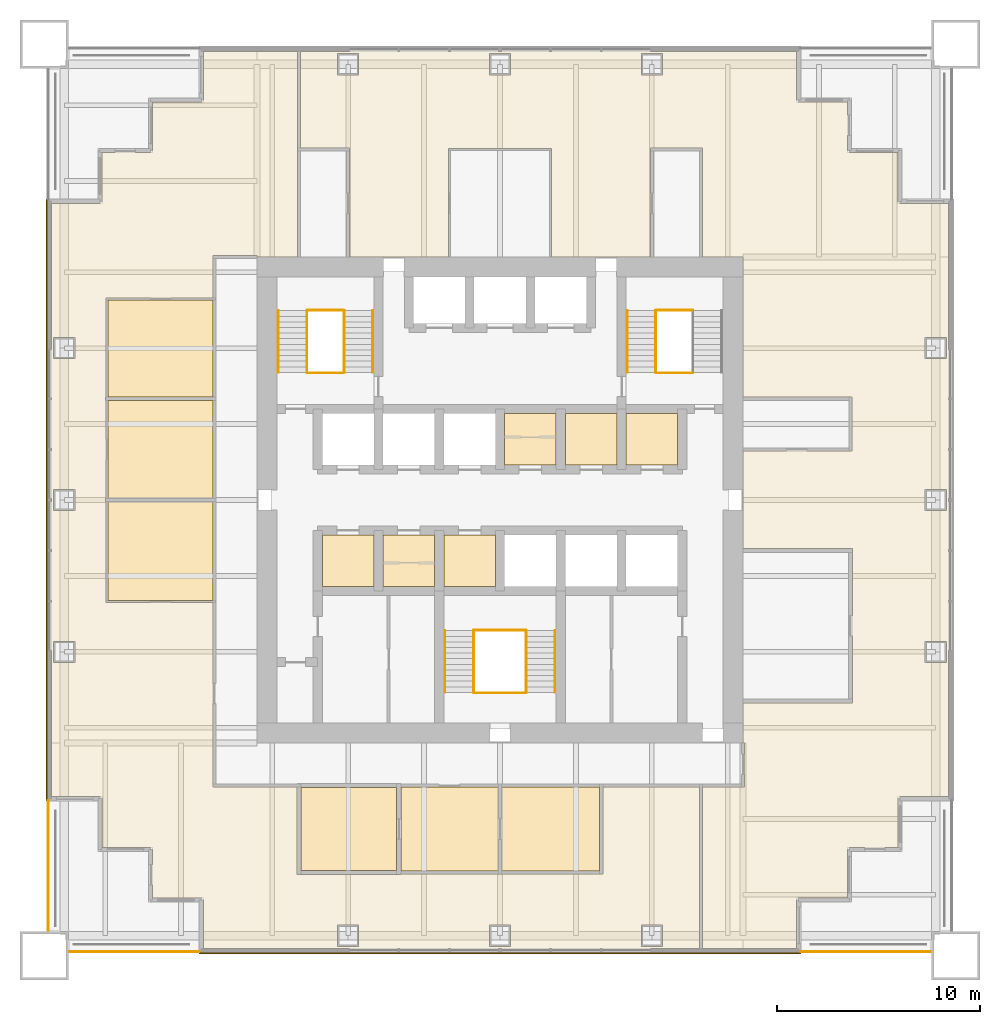
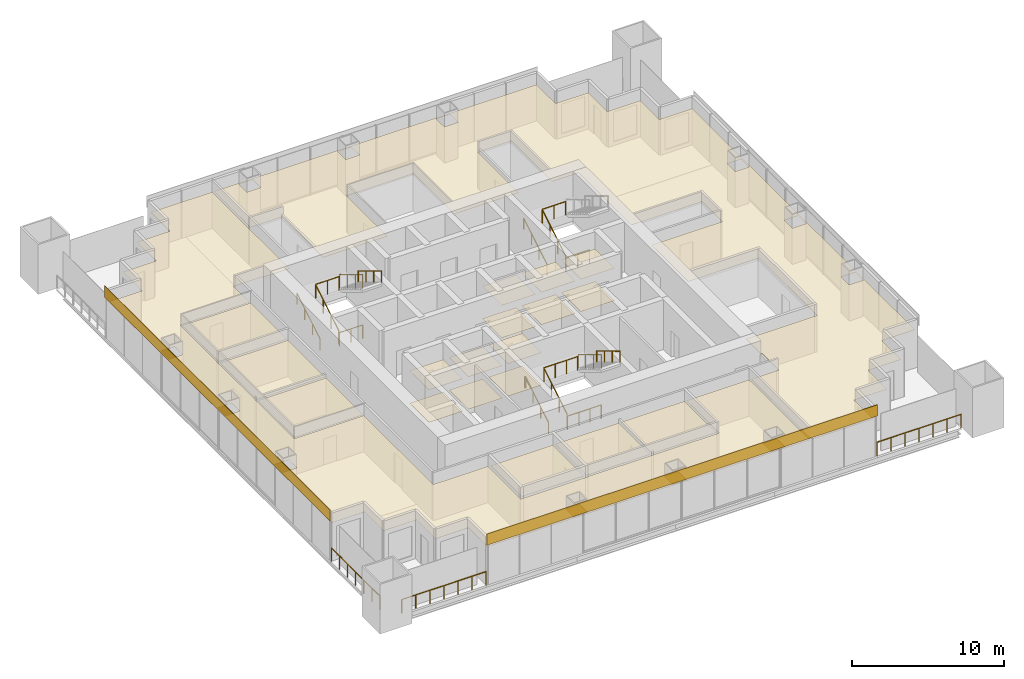
# One storey, part 12 of 13: 22 coverings, 19 railings.
"""IFC4 building model written with IfcOpenShell, lengths in metres."""

from ifc_helpers import new_model, si_unit, direction, frame, origin, origin_2d, place, context, subcontext, project, spatial, polyline, rectangle, circle, outline, extrude, material, layer, layer_set, type_object, element, save


model = new_model("IFC4")

# Units and contexts
model_context = context("Model", 3, precision=1e-05, world=origin(), true_north=direction((0.0, 1.0)))
body_context = subcontext(model_context, "Body", "Model", "MODEL_VIEW")
ifc_project = project(units=[si_unit("LENGTHUNIT", "METRE"), si_unit("AREAUNIT", "SQUARE_METRE"), si_unit("VOLUMEUNIT", "CUBIC_METRE"), si_unit("PLANEANGLEUNIT", "RADIAN"), si_unit("MASSUNIT", "GRAM", prefix="KILO")], contexts=[model_context])

# Site, building, storey
site_placement = place(None, origin())
site = spatial("IfcSite", under=ifc_project, at=site_placement, CompositionType="ELEMENT")
building_placement = place(site_placement, origin())
building = spatial("IfcBuilding", under=site, at=building_placement, Name="Tarangal Relay Tower", CompositionType="ELEMENT")
storey_placement = place(building_placement, frame((0.0, 0.0, 241.89990234375)))
storey = spatial("IfcBuildingStorey", under=building, at=storey_placement, Name="L52", CompositionType="ELEMENT", Elevation=241.89990234375)

# Coverings
ifc_material_1 = material(Name="Anti-static vinyl flooring", Category="plastic")
ifc_layer_1 = layer(ifc_material_1, 0.010009765625)
ifc_layer_set_1 = layer_set([ifc_layer_1], Name="Anti-static vinyl floor")
covering_type_1 = type_object("IfcCoveringType", Name="Anti-static vinyl floor", PredefinedType="FLOORING", material=ifc_layer_set_1)
covering_1_placement = place(storey_placement, origin())
element("IfcCovering", 1, at=covering_1_placement, inside=storey, type_object=covering_type_1, Name="Floor finish FL1 L52-T1", PredefinedType="FLOORING", context=body_context, shape_type="SweptSolid", body=[
    extrude(outline(polyline([(0.22509765625, 1.72509765625), (2.77490234375, 1.72509765625), (2.77490234375, 4.27490234375), (0.22509765625, 4.27490234375), (0.22509765625, 1.72509765625)])), origin(), (0.0, 0.0, 1.0), 0.010009765625),
])
covering_2_placement = place(storey_placement, origin())
element("IfcCovering", 2, at=covering_2_placement, inside=storey, type_object=covering_type_1, Name="Floor finish FL1 L52-T2", PredefinedType="FLOORING", context=body_context, shape_type="SweptSolid", body=[
    extrude(outline(polyline([(3.22509765625, 1.72509765625), (5.77490234375, 1.72509765625), (5.77490234375, 4.27490234375), (3.22509765625, 4.27490234375), (3.22509765625, 1.72509765625)])), origin(), (0.0, 0.0, 1.0), 0.010009765625),
])
covering_3_placement = place(storey_placement, origin())
element("IfcCovering", 3, at=covering_3_placement, inside=storey, type_object=covering_type_1, Name="Floor finish FL1 L52-T3", PredefinedType="FLOORING", context=body_context, shape_type="SweptSolid", body=[
    extrude(outline(polyline([(6.22509765625, 1.72509765625), (8.77490234375, 1.72509765625), (8.77490234375, 4.27490234375), (6.22509765625, 4.27490234375), (6.22509765625, 1.72509765625)])), origin(), (0.0, 0.0, 1.0), 0.010009765625),
])
covering_4_placement = place(storey_placement, origin())
element("IfcCovering", 4, at=covering_4_placement, inside=storey, type_object=covering_type_1, Name="Floor finish FL1 L52-S1", PredefinedType="FLOORING", context=body_context, shape_type="SweptSolid", body=[
    extrude(outline(polyline([(-8.77490234375, -4.27490234375), (-6.22509765625, -4.27490234375), (-6.22509765625, -1.72509765625), (-8.77490234375, -1.72509765625), (-8.77490234375, -4.27490234375)])), origin(), (0.0, 0.0, 1.0), 0.010009765625),
])
covering_5_placement = place(storey_placement, origin())
element("IfcCovering", 5, at=covering_5_placement, inside=storey, type_object=covering_type_1, Name="Floor finish FL1 L52-S2", PredefinedType="FLOORING", context=body_context, shape_type="SweptSolid", body=[
    extrude(outline(polyline([(-5.77490234375, -4.27490234375), (-3.22509765625, -4.27490234375), (-3.22509765625, -1.72509765625), (-5.77490234375, -1.72509765625), (-5.77490234375, -4.27490234375)])), origin(), (0.0, 0.0, 1.0), 0.010009765625),
])
covering_6_placement = place(storey_placement, origin())
element("IfcCovering", 6, at=covering_6_placement, inside=storey, type_object=covering_type_1, Name="Floor finish FL1 L52-S3", PredefinedType="FLOORING", context=body_context, shape_type="SweptSolid", body=[
    extrude(outline(polyline([(-2.77490234375, -4.27490234375), (-0.22509765625, -4.27490234375), (-0.22509765625, -1.72509765625), (-2.77490234375, -1.72509765625), (-2.77490234375, -4.27490234375)])), origin(), (0.0, 0.0, 1.0), 0.010009765625),
])
ifc_material_2 = material(Name="Black anodised aluminium cladding", Category="aluminium")
ifc_layer_2 = layer(ifc_material_2, 0.050048828125)
ifc_layer_set_2 = layer_set([ifc_layer_2], Name="Black metal spandrel band")
covering_type_2 = type_object("IfcCoveringType", Name="Black metal spandrel band", PredefinedType="CLADDING", material=ifc_layer_set_2)
for number, where, z_axis, x_axis, name in (
    (7, (0.0, -22.375, 3.250244140625), (0.0, 0.0, 1.0), (-1.0, 0.0, 0.0), "Spandrel band SB1 S L52"),
    (8, (-22.375, 0.0, 3.250244140625), (0.0, 0.0, 1.0), (0.0, 1.0, 0.0), "Spandrel band SB1 W L52"),
):
    element("IfcCovering", number, at=place(storey_placement, frame(where, z_axis=z_axis, x_axis=x_axis)), inside=storey, type_object=covering_type_2, Name=name, PredefinedType="CLADDING", context=body_context, shape_type="SweptSolid", body=[
        extrude(rectangle(XDim=29.699951171875, YDim=0.050048828125, at=origin_2d()), origin(), (0.0, 0.0, 1.0), 0.89990234375),
    ])

# Railings
ifc_material_3 = material(Name="Steel guard, black finish", Category="steel")
railing_type_1 = type_object("IfcRailingType", Name="Stair guard 1100", PredefinedType="GUARDRAIL", material=ifc_material_3)
railing_1_placement = place(storey_placement, frame((-9.530029296875, 6.300048828125, 0.166748046875)))
element("IfcRailing", 9, at=railing_1_placement, inside=storey, type_object=railing_type_1, Name="Stair ST-A guard GR1 L52 flight 1", PredefinedType="GUARDRAIL", context=body_context, shape_type="SweptSolid", body=[
    extrude(circle(Radius=0.02392578125, at=origin_2d()), frame((0.0, 0.0, 1.076171875), z_axis=(0.0, 0.85685617095, 0.515555527858), x_axis=(-1.0, 0.0, 0.0)), (0.0, 0.0, 1.0), 3.555908203125),
    extrude(circle(Radius=0.02099609375, at=origin_2d()), origin(), (0.0, 0.0, 1.0), 1.052001953125),
    extrude(circle(Radius=0.02099609375, at=origin_2d()), frame((0.0, 1.015625, 0.611083984375)), (0.0, 0.0, 1.0), 1.052001953125),
    extrude(circle(Radius=0.02099609375, at=origin_2d()), frame((0.0, 2.03125, 1.22216796875)), (0.0, 0.0, 1.0), 1.052001953125),
    extrude(circle(Radius=0.02099609375, at=origin_2d()), frame((0.0, 3.046875, 1.833251953125)), (0.0, 0.0, 1.0), 1.052001953125),
])
railing_2_placement = place(storey_placement, frame((-7.695068359375, 9.346923828125, 2.166748046875)))
element("IfcRailing", 10, at=railing_2_placement, inside=storey, type_object=railing_type_1, Name="Stair ST-A guard GR1 L52 flight 2", PredefinedType="GUARDRAIL", context=body_context, shape_type="SweptSolid", body=[
    extrude(circle(Radius=0.02392578125, at=origin_2d()), frame((0.0, 0.0, 1.076171875), z_axis=(0.0, -0.85685617095, 0.515555527858), x_axis=(1.0, 0.0, 0.0)), (0.0, 0.0, 1.0), 3.555908203125),
    extrude(circle(Radius=0.02099609375, at=origin_2d()), origin(), (0.0, 0.0, 1.0), 1.052001953125),
    extrude(circle(Radius=0.02099609375, at=origin_2d()), frame((0.0, -1.015625, 0.611083984375)), (0.0, 0.0, 1.0), 1.052001953125),
    extrude(circle(Radius=0.02099609375, at=origin_2d()), frame((0.0, -2.03125, 1.22216796875)), (0.0, 0.0, 1.0), 1.052001953125),
    extrude(circle(Radius=0.02099609375, at=origin_2d()), frame((0.0, -3.046875, 1.833251953125)), (0.0, 0.0, 1.0), 1.052001953125),
])
for number, where, name in (
    (11, (-9.5, 6.27001953125, 0.0), "Stair ST-A landing guard GR1 L52"),
    (12, (-9.5, 9.376953125, 2.0), "Stair ST-A landing guard GR1 L52"),
):
    element("IfcRailing", number, at=place(storey_placement, frame(where)), inside=storey, type_object=railing_type_1, Name=name, PredefinedType="GUARDRAIL", context=body_context, shape_type="SweptSolid", body=[
        extrude(circle(Radius=0.02392578125, at=origin_2d()), frame((0.0, 0.0, 1.076171875), z_axis=(1.0, 0.0, 0.0), x_axis=(0.0, 1.0, 0.0)), (0.0, 0.0, 1.0), 1.77490234375),
        extrude(circle(Radius=0.02099609375, at=origin_2d()), origin(), (0.0, 0.0, 1.0), 1.052001953125),
        extrude(circle(Radius=0.02099609375, at=origin_2d()), frame((0.887451171875, 0.0, 0.0)), (0.0, 0.0, 1.0), 1.052001953125),
        extrude(circle(Radius=0.02099609375, at=origin_2d()), frame((1.77490234375, 0.0, 0.0)), (0.0, 0.0, 1.0), 1.052001953125),
    ])
railing_3_placement = place(storey_placement, frame((7.695068359375, 6.300048828125, 0.166748046875)))
element("IfcRailing", 13, at=railing_3_placement, inside=storey, type_object=railing_type_1, Name="Stair ST-B guard GR1 L52 flight 1", PredefinedType="GUARDRAIL", context=body_context, shape_type="SweptSolid", body=[
    extrude(circle(Radius=0.02392578125, at=origin_2d()), frame((0.0, 0.0, 1.076171875), z_axis=(0.0, 0.85685617095, 0.515555527858), x_axis=(-1.0, 0.0, 0.0)), (0.0, 0.0, 1.0), 3.555908203125),
    extrude(circle(Radius=0.02099609375, at=origin_2d()), origin(), (0.0, 0.0, 1.0), 1.052001953125),
    extrude(circle(Radius=0.02099609375, at=origin_2d()), frame((0.0, 1.015625, 0.611083984375)), (0.0, 0.0, 1.0), 1.052001953125),
    extrude(circle(Radius=0.02099609375, at=origin_2d()), frame((0.0, 2.03125, 1.22216796875)), (0.0, 0.0, 1.0), 1.052001953125),
    extrude(circle(Radius=0.02099609375, at=origin_2d()), frame((0.0, 3.046875, 1.833251953125)), (0.0, 0.0, 1.0), 1.052001953125),
])
for number, where, name in (
    (14, (7.72509765625, 6.27001953125, 0.0), "Stair ST-B landing guard GR1 L52"),
    (15, (7.72509765625, 9.376953125, 2.0), "Stair ST-B landing guard GR1 L52"),
):
    element("IfcRailing", number, at=place(storey_placement, frame(where)), inside=storey, type_object=railing_type_1, Name=name, PredefinedType="GUARDRAIL", context=body_context, shape_type="SweptSolid", body=[
        extrude(circle(Radius=0.02392578125, at=origin_2d()), frame((0.0, 0.0, 1.076171875), z_axis=(1.0, 0.0, 0.0), x_axis=(0.0, 1.0, 0.0)), (0.0, 0.0, 1.0), 1.77490234375),
        extrude(circle(Radius=0.02099609375, at=origin_2d()), origin(), (0.0, 0.0, 1.0), 1.052001953125),
        extrude(circle(Radius=0.02099609375, at=origin_2d()), frame((0.887451171875, 0.0, 0.0)), (0.0, 0.0, 1.0), 1.052001953125),
        extrude(circle(Radius=0.02099609375, at=origin_2d()), frame((1.77490234375, 0.0, 0.0)), (0.0, 0.0, 1.0), 1.052001953125),
    ])
railing_4_placement = place(storey_placement, frame((-1.304931640625, -9.5, 0.166748046875)))
element("IfcRailing", 16, at=railing_4_placement, inside=storey, type_object=railing_type_1, Name="Stair ST-C guard GR1 L52 flight 1", PredefinedType="GUARDRAIL", context=body_context, shape_type="SweptSolid", body=[
    extrude(circle(Radius=0.02392578125, at=origin_2d()), frame((0.0, 0.0, 1.076171875), z_axis=(0.0, 0.856874418557, 0.515525199018), x_axis=(-1.0, 0.0, 0.0)), (0.0, 0.0, 1.0), 3.55615234375),
    extrude(circle(Radius=0.02099609375, at=origin_2d()), origin(), (0.0, 0.0, 1.0), 1.052001953125),
    extrude(circle(Radius=0.02099609375, at=origin_2d()), frame((0.0, 1.015625, 0.611083984375)), (0.0, 0.0, 1.0), 1.052001953125),
    extrude(circle(Radius=0.02099609375, at=origin_2d()), frame((0.0, 2.031494140625, 1.22216796875)), (0.0, 0.0, 1.0), 1.052001953125),
    extrude(circle(Radius=0.02099609375, at=origin_2d()), frame((0.0, 3.047119140625, 1.833251953125)), (0.0, 0.0, 1.0), 1.052001953125),
])
railing_5_placement = place(storey_placement, frame((1.304931640625, -6.452880859375, 2.166748046875)))
element("IfcRailing", 17, at=railing_5_placement, inside=storey, type_object=railing_type_1, Name="Stair ST-C guard GR1 L52 flight 2", PredefinedType="GUARDRAIL", context=body_context, shape_type="SweptSolid", body=[
    extrude(circle(Radius=0.02392578125, at=origin_2d()), frame((0.0, 0.0, 1.076171875), z_axis=(0.0, -0.856874418557, 0.515525199018), x_axis=(1.0, 0.0, 0.0)), (0.0, 0.0, 1.0), 3.55615234375),
    extrude(circle(Radius=0.02099609375, at=origin_2d()), origin(), (0.0, 0.0, 1.0), 1.052001953125),
    extrude(circle(Radius=0.02099609375, at=origin_2d()), frame((0.0, -1.015625, 0.611083984375)), (0.0, 0.0, 1.0), 1.052001953125),
    extrude(circle(Radius=0.02099609375, at=origin_2d()), frame((0.0, -2.031494140625, 1.22216796875)), (0.0, 0.0, 1.0), 1.052001953125),
    extrude(circle(Radius=0.02099609375, at=origin_2d()), frame((0.0, -3.047119140625, 1.833251953125)), (0.0, 0.0, 1.0), 1.052001953125),
])
for number, where, name in (
    (18, (-1.27490234375, -9.530029296875, 0.0), "Stair ST-C landing guard GR1 L52"),
    (19, (-1.27490234375, -6.423095703125, 2.0), "Stair ST-C landing guard GR1 L52"),
):
    element("IfcRailing", number, at=place(storey_placement, frame(where)), inside=storey, type_object=railing_type_1, Name=name, PredefinedType="GUARDRAIL", context=body_context, shape_type="SweptSolid", body=[
        extrude(circle(Radius=0.02392578125, at=origin_2d()), frame((0.0, 0.0, 1.076171875), z_axis=(1.0, 0.0, 0.0), x_axis=(0.0, 1.0, 0.0)), (0.0, 0.0, 1.0), 2.5498046875),
        extrude(circle(Radius=0.02099609375, at=origin_2d()), origin(), (0.0, 0.0, 1.0), 1.052001953125),
        extrude(circle(Radius=0.02099609375, at=origin_2d()), frame((0.849853515625, 0.0, 0.0)), (0.0, 0.0, 1.0), 1.052001953125),
        extrude(circle(Radius=0.02099609375, at=origin_2d()), frame((1.699951171875, 0.0, 0.0)), (0.0, 0.0, 1.0), 1.052001953125),
        extrude(circle(Radius=0.02099609375, at=origin_2d()), frame((2.5498046875, 0.0, 0.0)), (0.0, 0.0, 1.0), 1.052001953125),
    ])
ifc_material_4 = material(Name="Steel handrail, black finish", Category="steel")
railing_type_2 = type_object("IfcRailingType", Name="Stair handrail 900", PredefinedType="HANDRAIL", material=ifc_material_4)
railing_6_placement = place(storey_placement, frame((-10.93994140625, 6.300048828125, 0.166748046875)))
element("IfcRailing", 20, at=railing_6_placement, inside=storey, type_object=railing_type_2, Name="Stair ST-A handrail HR1 L52 flight 1", PredefinedType="HANDRAIL", context=body_context, shape_type="SweptSolid", body=[
    extrude(circle(Radius=0.02392578125, at=origin_2d()), frame((0.0, 0.0, 0.8759765625), z_axis=(0.0, 0.85685617095, 0.515555527858), x_axis=(-1.0, 0.0, 0.0)), (0.0, 0.0, 1.0), 3.555908203125),
    extrude(circle(Radius=0.02099609375, at=origin_2d()), origin(), (0.0, 0.0, 1.0), 0.851806640625),
    extrude(circle(Radius=0.02099609375, at=origin_2d()), frame((0.0, 1.015625, 0.611083984375)), (0.0, 0.0, 1.0), 0.851806640625),
    extrude(circle(Radius=0.02099609375, at=origin_2d()), frame((0.0, 2.03125, 1.22216796875)), (0.0, 0.0, 1.0), 0.851806640625),
    extrude(circle(Radius=0.02099609375, at=origin_2d()), frame((0.0, 3.046875, 1.833251953125)), (0.0, 0.0, 1.0), 0.851806640625),
])
railing_7_placement = place(storey_placement, frame((-6.284912109375, 9.346923828125, 2.166748046875)))
element("IfcRailing", 21, at=railing_7_placement, inside=storey, type_object=railing_type_2, Name="Stair ST-A handrail HR1 L52 flight 2", PredefinedType="HANDRAIL", context=body_context, shape_type="SweptSolid", body=[
    extrude(circle(Radius=0.02392578125, at=origin_2d()), frame((0.0, 0.0, 0.8759765625), z_axis=(0.0, -0.85685617095, 0.515555527858), x_axis=(1.0, 0.0, 0.0)), (0.0, 0.0, 1.0), 3.555908203125),
    extrude(circle(Radius=0.02099609375, at=origin_2d()), origin(), (0.0, 0.0, 1.0), 0.851806640625),
    extrude(circle(Radius=0.02099609375, at=origin_2d()), frame((0.0, -1.015625, 0.611083984375)), (0.0, 0.0, 1.0), 0.851806640625),
    extrude(circle(Radius=0.02099609375, at=origin_2d()), frame((0.0, -2.03125, 1.22216796875)), (0.0, 0.0, 1.0), 0.851806640625),
    extrude(circle(Radius=0.02099609375, at=origin_2d()), frame((0.0, -3.046875, 1.833251953125)), (0.0, 0.0, 1.0), 0.851806640625),
])
railing_8_placement = place(storey_placement, frame((6.284912109375, 6.300048828125, 0.166748046875)))
element("IfcRailing", 22, at=railing_8_placement, inside=storey, type_object=railing_type_2, Name="Stair ST-B handrail HR1 L52 flight 1", PredefinedType="HANDRAIL", context=body_context, shape_type="SweptSolid", body=[
    extrude(circle(Radius=0.02392578125, at=origin_2d()), frame((0.0, 0.0, 0.8759765625), z_axis=(0.0, 0.85685617095, 0.515555527858), x_axis=(-1.0, 0.0, 0.0)), (0.0, 0.0, 1.0), 3.555908203125),
    extrude(circle(Radius=0.02099609375, at=origin_2d()), origin(), (0.0, 0.0, 1.0), 0.851806640625),
    extrude(circle(Radius=0.02099609375, at=origin_2d()), frame((0.0, 1.015625, 0.611083984375)), (0.0, 0.0, 1.0), 0.851806640625),
    extrude(circle(Radius=0.02099609375, at=origin_2d()), frame((0.0, 2.03125, 1.22216796875)), (0.0, 0.0, 1.0), 0.851806640625),
    extrude(circle(Radius=0.02099609375, at=origin_2d()), frame((0.0, 3.046875, 1.833251953125)), (0.0, 0.0, 1.0), 0.851806640625),
])
railing_9_placement = place(storey_placement, frame((-2.715087890625, -9.5, 0.166748046875)))
element("IfcRailing", 23, at=railing_9_placement, inside=storey, type_object=railing_type_2, Name="Stair ST-C handrail HR1 L52 flight 1", PredefinedType="HANDRAIL", context=body_context, shape_type="SweptSolid", body=[
    extrude(circle(Radius=0.02392578125, at=origin_2d()), frame((0.0, 0.0, 0.8759765625), z_axis=(0.0, 0.856874418557, 0.515525199018), x_axis=(-1.0, 0.0, 0.0)), (0.0, 0.0, 1.0), 3.55615234375),
    extrude(circle(Radius=0.02099609375, at=origin_2d()), origin(), (0.0, 0.0, 1.0), 0.851806640625),
    extrude(circle(Radius=0.02099609375, at=origin_2d()), frame((0.0, 1.015625, 0.611083984375)), (0.0, 0.0, 1.0), 0.851806640625),
    extrude(circle(Radius=0.02099609375, at=origin_2d()), frame((0.0, 2.031494140625, 1.22216796875)), (0.0, 0.0, 1.0), 0.851806640625),
    extrude(circle(Radius=0.02099609375, at=origin_2d()), frame((0.0, 3.047119140625, 1.833251953125)), (0.0, 0.0, 1.0), 0.851806640625),
])
railing_10_placement = place(storey_placement, frame((2.715087890625, -6.452880859375, 2.166748046875)))
element("IfcRailing", 24, at=railing_10_placement, inside=storey, type_object=railing_type_2, Name="Stair ST-C handrail HR1 L52 flight 2", PredefinedType="HANDRAIL", context=body_context, shape_type="SweptSolid", body=[
    extrude(circle(Radius=0.02392578125, at=origin_2d()), frame((0.0, 0.0, 0.8759765625), z_axis=(0.0, -0.856874418557, 0.515525199018), x_axis=(1.0, 0.0, 0.0)), (0.0, 0.0, 1.0), 3.55615234375),
    extrude(circle(Radius=0.02099609375, at=origin_2d()), origin(), (0.0, 0.0, 1.0), 0.851806640625),
    extrude(circle(Radius=0.02099609375, at=origin_2d()), frame((0.0, -1.015625, 0.611083984375)), (0.0, 0.0, 1.0), 0.851806640625),
    extrude(circle(Radius=0.02099609375, at=origin_2d()), frame((0.0, -2.031494140625, 1.22216796875)), (0.0, 0.0, 1.0), 0.851806640625),
    extrude(circle(Radius=0.02099609375, at=origin_2d()), frame((0.0, -3.047119140625, 1.833251953125)), (0.0, 0.0, 1.0), 0.851806640625),
])

# Coverings
ifc_material_5 = material(Name="Mineral fibre ceiling tiles", Category="gypsum")
ifc_layer_3 = layer(ifc_material_5, 0.02001953125)
ifc_layer_set_3 = layer_set([ifc_layer_3], Name="Suspended ceiling")
covering_type_3 = type_object("IfcCoveringType", Name="Suspended ceiling", PredefinedType="CEILING", material=ifc_layer_set_3)
covering_7_placement = place(storey_placement, frame((0.0, 0.0, 2.60009765625)))
element("IfcCovering", 25, at=covering_7_placement, inside=storey, type_object=covering_type_3, Name="Suspended ceiling CL1 L52-T1", PredefinedType="CEILING", context=body_context, shape_type="SweptSolid", body=[
    extrude(outline(polyline([(0.22509765625, 1.72509765625), (2.77490234375, 1.72509765625), (2.77490234375, 4.27490234375), (0.22509765625, 4.27490234375), (0.22509765625, 1.72509765625)])), origin(), (0.0, 0.0, 1.0), 0.02001953125),
])
covering_8_placement = place(storey_placement, frame((0.0, 0.0, 2.60009765625)))
element("IfcCovering", 26, at=covering_8_placement, inside=storey, type_object=covering_type_3, Name="Suspended ceiling CL1 L52-T2", PredefinedType="CEILING", context=body_context, shape_type="SweptSolid", body=[
    extrude(outline(polyline([(3.22509765625, 1.72509765625), (5.77490234375, 1.72509765625), (5.77490234375, 4.27490234375), (3.22509765625, 4.27490234375), (3.22509765625, 1.72509765625)])), origin(), (0.0, 0.0, 1.0), 0.02001953125),
])
covering_9_placement = place(storey_placement, frame((0.0, 0.0, 2.60009765625)))
element("IfcCovering", 27, at=covering_9_placement, inside=storey, type_object=covering_type_3, Name="Suspended ceiling CL1 L52-T3", PredefinedType="CEILING", context=body_context, shape_type="SweptSolid", body=[
    extrude(outline(polyline([(6.22509765625, 1.72509765625), (8.77490234375, 1.72509765625), (8.77490234375, 4.27490234375), (6.22509765625, 4.27490234375), (6.22509765625, 1.72509765625)])), origin(), (0.0, 0.0, 1.0), 0.02001953125),
])
covering_10_placement = place(storey_placement, frame((0.0, 0.0, 2.60009765625)))
element("IfcCovering", 28, at=covering_10_placement, inside=storey, type_object=covering_type_3, Name="Suspended ceiling CL1 L52-S1", PredefinedType="CEILING", context=body_context, shape_type="SweptSolid", body=[
    extrude(outline(polyline([(-8.77490234375, -4.27490234375), (-6.22509765625, -4.27490234375), (-6.22509765625, -1.72509765625), (-8.77490234375, -1.72509765625), (-8.77490234375, -4.27490234375)])), origin(), (0.0, 0.0, 1.0), 0.02001953125),
])
covering_11_placement = place(storey_placement, frame((0.0, 0.0, 2.60009765625)))
element("IfcCovering", 29, at=covering_11_placement, inside=storey, type_object=covering_type_3, Name="Suspended ceiling CL1 L52-S2", PredefinedType="CEILING", context=body_context, shape_type="SweptSolid", body=[
    extrude(outline(polyline([(-5.77490234375, -4.27490234375), (-3.22509765625, -4.27490234375), (-3.22509765625, -1.72509765625), (-5.77490234375, -1.72509765625), (-5.77490234375, -4.27490234375)])), origin(), (0.0, 0.0, 1.0), 0.02001953125),
])
covering_12_placement = place(storey_placement, frame((0.0, 0.0, 2.60009765625)))
element("IfcCovering", 30, at=covering_12_placement, inside=storey, type_object=covering_type_3, Name="Suspended ceiling CL1 L52-S3", PredefinedType="CEILING", context=body_context, shape_type="SweptSolid", body=[
    extrude(outline(polyline([(-2.77490234375, -4.27490234375), (-0.22509765625, -4.27490234375), (-0.22509765625, -1.72509765625), (-2.77490234375, -1.72509765625), (-2.77490234375, -4.27490234375)])), origin(), (0.0, 0.0, 1.0), 0.02001953125),
])
covering_13_placement = place(storey_placement, frame((0.0, 0.0, 2.900146484375)))
element("IfcCovering", 31, at=covering_13_placement, inside=storey, type_object=covering_type_3, Name="Suspended ceiling CL1 L52-07", PredefinedType="CEILING", context=body_context, shape_type="SweptSolid", body=[
    extrude(outline(polyline([(4.925048828125, -14.175048828125), (0.074951171875, -14.175048828125), (0.074951171875, -18.324951171875), (4.925048828125, -18.324951171875), (4.925048828125, -14.175048828125)])), origin(), (0.0, 0.0, 1.0), 0.02001953125),
])
covering_14_placement = place(storey_placement, frame((0.0, 0.0, 2.900146484375)))
element("IfcCovering", 32, at=covering_14_placement, inside=storey, type_object=covering_type_3, Name="Suspended ceiling CL1 L52-08", PredefinedType="CEILING", context=body_context, shape_type="SweptSolid", body=[
    extrude(outline(polyline([(-4.89990234375, -18.324951171875), (-0.074951171875, -18.324951171875), (-0.074951171875, -14.175048828125), (-4.89990234375, -14.175048828125), (-4.89990234375, -18.324951171875)])), origin(), (0.0, 0.0, 1.0), 0.02001953125),
])
covering_15_placement = place(storey_placement, frame((0.0, 0.0, 2.900146484375)))
element("IfcCovering", 33, at=covering_15_placement, inside=storey, type_object=covering_type_3, Name="Suspended ceiling CL1 L52-09", PredefinedType="CEILING", context=body_context, shape_type="SweptSolid", body=[
    extrude(outline(polyline([(-5.10009765625, -14.199951171875), (-9.81689453125, -14.199951171875), (-9.81689453125, -18.300048828125), (-5.10009765625, -18.300048828125), (-5.10009765625, -14.199951171875)])), origin(), (0.0, 0.0, 1.0), 0.02001953125),
])
covering_16_placement = place(storey_placement, frame((0.0, 0.0, 2.900146484375)))
element("IfcCovering", 34, at=covering_16_placement, inside=storey, type_object=covering_type_3, Name="Suspended ceiling CL1 L52-10", PredefinedType="CEILING", context=body_context, shape_type="SweptSolid", body=[
    extrude(outline(polyline([(-14.175048828125, -0.074951171875), (-19.35009765625, -0.074951171875), (-19.35009765625, -4.949951171875), (-14.175048828125, -4.949951171875), (-14.175048828125, -0.074951171875)])), origin(), (0.0, 0.0, 1.0), 0.02001953125),
])
covering_17_placement = place(storey_placement, frame((0.0, 0.0, 2.900146484375)))
element("IfcCovering", 35, at=covering_17_placement, inside=storey, type_object=covering_type_3, Name="Suspended ceiling CL1 L52-11", PredefinedType="CEILING", context=body_context, shape_type="SweptSolid", body=[
    extrude(outline(polyline([(-14.175048828125, 4.925048828125), (-19.35009765625, 4.925048828125), (-19.35009765625, 0.074951171875), (-14.175048828125, 0.074951171875), (-14.175048828125, 4.925048828125)])), origin(), (0.0, 0.0, 1.0), 0.02001953125),
])
covering_18_placement = place(storey_placement, frame((0.0, 0.0, 2.900146484375)))
element("IfcCovering", 36, at=covering_18_placement, inside=storey, type_object=covering_type_3, Name="Suspended ceiling CL1 L52-12", PredefinedType="CEILING", context=body_context, shape_type="SweptSolid", body=[
    extrude(outline(polyline([(-19.35009765625, 9.866943359375), (-19.35009765625, 5.074951171875), (-14.175048828125, 5.074951171875), (-14.175048828125, 9.866943359375), (-19.35009765625, 9.866943359375)])), origin(), (0.0, 0.0, 1.0), 0.02001953125),
])
covering_19_placement = place(storey_placement, frame((0.0, 0.0, 2.900146484375)))
element("IfcCovering", 37, at=covering_19_placement, inside=storey, type_object=covering_type_3, Name="Suspended ceiling CL1 L52-13", PredefinedType="CEILING", context=body_context, shape_type="SweptSolid", body=[
    extrude(outline(polyline([(7.425048828125, 12.0), (7.425048828125, 17.375), (9.991943359375, 17.375), (9.991943359375, 12.0), (12.0, 12.0), (12.0, 5.074951171875), (17.375, 5.074951171875), (17.375, 2.425048828125), (12.0, 2.425048828125), (12.0, -2.39990234375), (17.39990234375, -2.39990234375), (17.39990234375, -10.01708984375), (12.0, -10.01708984375), (12.0, -12.0), (12.074951171875, -12.0), (12.074951171875, -14.175048828125), (9.991943359375, -14.175048828125), (9.991943359375, -22.14990234375), (14.64990234375, -22.14990234375), (14.64990234375, -19.64990234375), (17.14990234375, -19.64990234375), (17.14990234375, -17.14990234375), (19.64990234375, -17.14990234375), (19.64990234375, -14.64990234375), (22.14990234375, -14.64990234375), (22.14990234375, 14.64990234375), (19.64990234375, 14.64990234375), (19.64990234375, 17.14990234375), (17.14990234375, 17.14990234375), (17.14990234375, 19.64990234375), (14.64990234375, 19.64990234375), (14.64990234375, 22.14990234375), (-9.842041015625, 22.14990234375), (-9.842041015625, 17.375), (-7.425048828125, 17.375), (-7.425048828125, 12.0), (-2.550048828125, 12.0), (-2.550048828125, 17.35009765625), (2.550048828125, 17.35009765625), (2.550048828125, 12.0), (7.425048828125, 12.0)]), holes=[polyline([(20.989990234375, -8.02490234375), (22.0400390625, -8.02490234375), (22.0400390625, -6.97509765625), (20.989990234375, -6.97509765625), (20.989990234375, -8.02490234375)]), polyline([(20.989990234375, 0.52490234375), (20.989990234375, -0.52490234375), (22.0400390625, -0.52490234375), (22.0400390625, 0.52490234375), (20.989990234375, 0.52490234375)]), polyline([(20.989990234375, 8.02490234375), (20.989990234375, 6.97509765625), (22.0400390625, 6.97509765625), (22.0400390625, 8.02490234375), (20.989990234375, 8.02490234375)]), polyline([(-8.02490234375, 20.989990234375), (-6.97509765625, 20.989990234375), (-6.97509765625, 22.0400390625), (-8.02490234375, 22.0400390625), (-8.02490234375, 20.989990234375)]), polyline([(-0.52490234375, 22.0400390625), (-0.52490234375, 20.989990234375), (0.52490234375, 20.989990234375), (0.52490234375, 22.0400390625), (-0.52490234375, 22.0400390625)]), polyline([(6.97509765625, 22.0400390625), (6.97509765625, 20.989990234375), (8.02490234375, 20.989990234375), (8.02490234375, 22.0400390625), (6.97509765625, 22.0400390625)])]), origin(), (0.0, 0.0, 1.0), 0.02001953125),
])
covering_20_placement = place(storey_placement, frame((0.0, 0.0, 2.900146484375)))
element("IfcCovering", 38, at=covering_20_placement, inside=storey, type_object=covering_type_3, Name="Suspended ceiling CL1 L52-14", PredefinedType="CEILING", context=body_context, shape_type="SweptSolid", body=[
    extrude(outline(polyline([(-14.64990234375, -22.14990234375), (9.842041015625, -22.14990234375), (9.842041015625, -14.175048828125), (5.074951171875, -14.175048828125), (5.074951171875, -18.47509765625), (-4.89990234375, -18.47509765625), (-4.89990234375, -18.5), (-10.01708984375, -18.5), (-10.01708984375, -14.175048828125), (-14.175048828125, -14.175048828125), (-14.175048828125, -5.050048828125), (-19.449951171875, -5.050048828125), (-19.449951171875, -0.074951171875), (-19.47509765625, -0.074951171875), (-19.47509765625, 0.074951171875), (-19.449951171875, 0.074951171875), (-19.449951171875, 4.925048828125), (-19.47509765625, 4.925048828125), (-19.47509765625, 5.074951171875), (-19.449951171875, 5.074951171875), (-19.449951171875, 9.967041015625), (-14.175048828125, 9.967041015625), (-14.175048828125, 12.074951171875), (-12.0, 12.074951171875), (-12.0, 12.0), (-9.991943359375, 12.0), (-9.991943359375, 22.14990234375), (-14.64990234375, 22.14990234375), (-14.64990234375, 19.64990234375), (-17.14990234375, 19.64990234375), (-17.14990234375, 17.14990234375), (-19.64990234375, 17.14990234375), (-19.64990234375, 14.64990234375), (-22.14990234375, 14.64990234375), (-22.14990234375, -14.64990234375), (-19.64990234375, -14.64990234375), (-19.64990234375, -17.14990234375), (-17.14990234375, -17.14990234375), (-17.14990234375, -19.64990234375), (-14.64990234375, -19.64990234375), (-14.64990234375, -22.14990234375)]), holes=[polyline([(-8.02490234375, -22.0400390625), (-6.97509765625, -22.0400390625), (-6.97509765625, -20.989990234375), (-8.02490234375, -20.989990234375), (-8.02490234375, -22.0400390625)]), polyline([(-0.52490234375, -20.989990234375), (-0.52490234375, -22.0400390625), (0.52490234375, -22.0400390625), (0.52490234375, -20.989990234375), (-0.52490234375, -20.989990234375)]), polyline([(6.97509765625, -20.989990234375), (6.97509765625, -22.0400390625), (8.02490234375, -22.0400390625), (8.02490234375, -20.989990234375), (6.97509765625, -20.989990234375)]), polyline([(-22.0400390625, -8.02490234375), (-20.989990234375, -8.02490234375), (-20.989990234375, -6.97509765625), (-22.0400390625, -6.97509765625), (-22.0400390625, -8.02490234375)]), polyline([(-22.0400390625, 0.52490234375), (-22.0400390625, -0.52490234375), (-20.989990234375, -0.52490234375), (-20.989990234375, 0.52490234375), (-22.0400390625, 0.52490234375)]), polyline([(-22.0400390625, 8.02490234375), (-22.0400390625, 6.97509765625), (-20.989990234375, 6.97509765625), (-20.989990234375, 8.02490234375), (-22.0400390625, 8.02490234375)])]), origin(), (0.0, 0.0, 1.0), 0.02001953125),
])

# Railings
ifc_material_6 = material(Name="Black steel guard with glass infill", Category="steel")
railing_type_3 = type_object("IfcRailingType", Name="Terrace guard 1100", PredefinedType="GUARDRAIL", material=ifc_material_6)
for number, where, name in (
    (39, (21.25, -22.300048828125, 0.0), "Terrace guard GR2 SE L52"),
    (40, (-14.85009765625, -22.300048828125, 0.0), "Terrace guard GR2 SW L52"),
):
    element("IfcRailing", number, at=place(storey_placement, frame(where)), inside=storey, type_object=railing_type_3, Name=name, PredefinedType="GUARDRAIL", context=body_context, shape_type="SweptSolid", body=[
        extrude(circle(Radius=0.02392578125, at=origin_2d()), frame((0.0, 0.0, 1.076171875), z_axis=(-1.0, 0.0, 0.0), x_axis=(0.0, -1.0, 0.0)), (0.0, 0.0, 1.0), 6.39990234375),
        extrude(circle(Radius=0.02099609375, at=origin_2d()), origin(), (0.0, 0.0, 1.0), 1.052001953125),
        extrude(circle(Radius=0.02099609375, at=origin_2d()), frame((-1.066650390625, 0.0, 0.0)), (0.0, 0.0, 1.0), 1.052001953125),
        extrude(circle(Radius=0.02099609375, at=origin_2d()), frame((-2.13330078125, 0.0, 0.0)), (0.0, 0.0, 1.0), 1.052001953125),
        extrude(circle(Radius=0.02099609375, at=origin_2d()), frame((-3.199951171875, 0.0, 0.0)), (0.0, 0.0, 1.0), 1.052001953125),
        extrude(circle(Radius=0.02099609375, at=origin_2d()), frame((-4.2666015625, 0.0, 0.0)), (0.0, 0.0, 1.0), 1.052001953125),
        extrude(circle(Radius=0.02099609375, at=origin_2d()), frame((-5.333251953125, 0.0, 0.0)), (0.0, 0.0, 1.0), 1.052001953125),
        extrude(circle(Radius=0.02099609375, at=origin_2d()), frame((-6.39990234375, 0.0, 0.0)), (0.0, 0.0, 1.0), 1.052001953125),
    ])
railing_11_placement = place(storey_placement, frame((-22.300048828125, -21.25, 0.0)))
element("IfcRailing", 41, at=railing_11_placement, inside=storey, type_object=railing_type_3, Name="Terrace guard GR2 SW L52", PredefinedType="GUARDRAIL", context=body_context, shape_type="SweptSolid", body=[
    extrude(circle(Radius=0.02392578125, at=origin_2d()), frame((0.0, 0.0, 1.076171875), z_axis=(0.0, 1.0, 0.0), x_axis=(-1.0, 0.0, 0.0)), (0.0, 0.0, 1.0), 6.39990234375),
    extrude(circle(Radius=0.02099609375, at=origin_2d()), origin(), (0.0, 0.0, 1.0), 1.052001953125),
    extrude(circle(Radius=0.02099609375, at=origin_2d()), frame((0.0, 1.066650390625, 0.0)), (0.0, 0.0, 1.0), 1.052001953125),
    extrude(circle(Radius=0.02099609375, at=origin_2d()), frame((0.0, 2.13330078125, 0.0)), (0.0, 0.0, 1.0), 1.052001953125),
    extrude(circle(Radius=0.02099609375, at=origin_2d()), frame((0.0, 3.199951171875, 0.0)), (0.0, 0.0, 1.0), 1.052001953125),
    extrude(circle(Radius=0.02099609375, at=origin_2d()), frame((0.0, 4.2666015625, 0.0)), (0.0, 0.0, 1.0), 1.052001953125),
    extrude(circle(Radius=0.02099609375, at=origin_2d()), frame((0.0, 5.333251953125, 0.0)), (0.0, 0.0, 1.0), 1.052001953125),
    extrude(circle(Radius=0.02099609375, at=origin_2d()), frame((0.0, 6.39990234375, 0.0)), (0.0, 0.0, 1.0), 1.052001953125),
])

save(model, "model.ifc")
